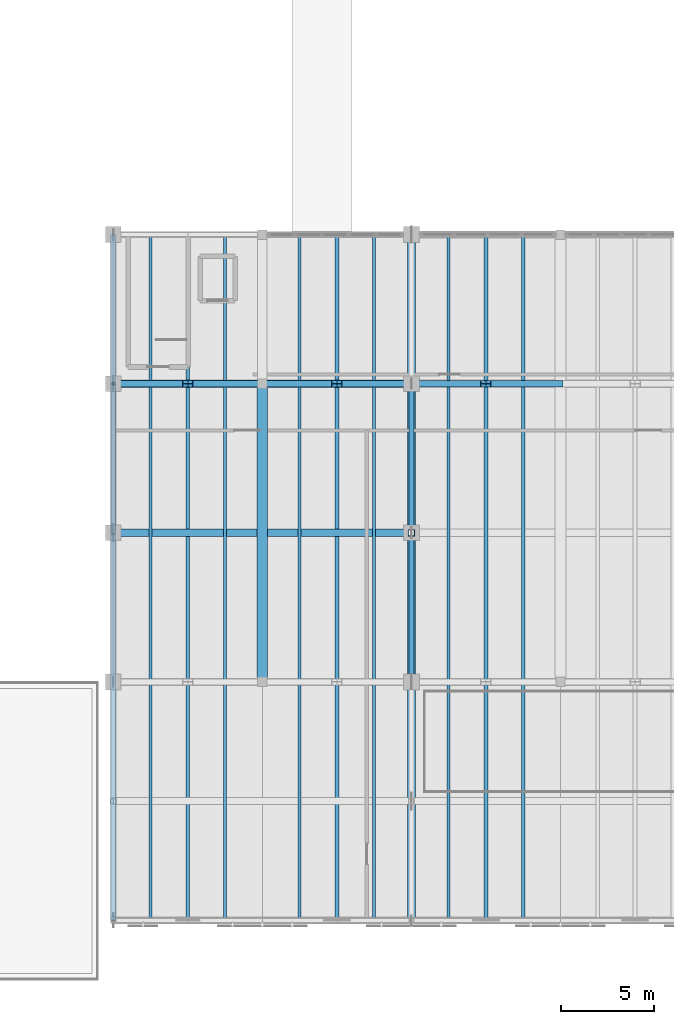
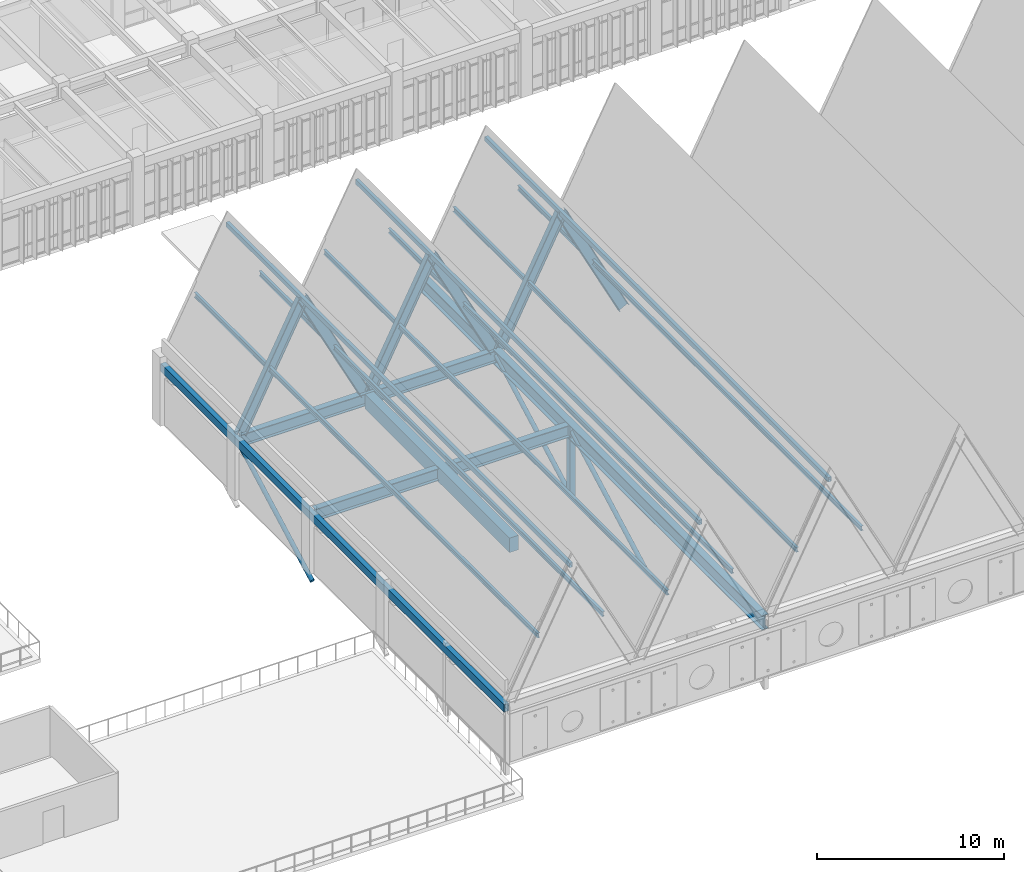
# One storey, part 4 of 72: 21 members, 3 beams.
"""IFC4 building model written with IfcOpenShell, lengths in metres."""

from ifc_helpers import new_model, si_unit, direction, frame, origin, origin_2d, place, context, subcontext, project, spatial, rectangle, hollow_rectangle, hollow_circle, i_section, extrude, material, material_profile, profile_set, type_object, element, save


model = new_model("IFC4")

# Units and contexts
model_context = context("Model", 3, precision=1e-05, world=origin(), true_north=direction((0.0, 1.0)))
body_context = subcontext(model_context, "Body", "Model", "MODEL_VIEW")
ifc_project = project(units=[si_unit("LENGTHUNIT", "METRE"), si_unit("AREAUNIT", "SQUARE_METRE"), si_unit("VOLUMEUNIT", "CUBIC_METRE"), si_unit("PLANEANGLEUNIT", "RADIAN"), si_unit("MASSUNIT", "GRAM", prefix="KILO")], contexts=[model_context])

# Site, building, storey
site_placement = place(None, origin())
site = spatial("IfcSite", under=ifc_project, at=site_placement, CompositionType="ELEMENT")
building_placement = place(site_placement, origin())
building = spatial("IfcBuilding", under=site, at=building_placement, Name="Tlaxcora Railside Police Headquarters", CompositionType="ELEMENT")
storey_placement = place(building_placement, frame((0.0, 0.0, 13.5)))
storey = spatial("IfcBuildingStorey", under=building, at=storey_placement, Name="L03", CompositionType="ELEMENT", Elevation=13.5)

# Members
ifc_material_1 = material(Name="Steel ASTM A992 Grade 50", Category="steel")
ifc_material_profile_1 = material_profile(ifc_material_1, hollow_circle(Radius=0.136474609375, WallThickness=0.011962890625, at=origin_2d()), Name="CHS273X12")
ifc_profile_set_1 = profile_set([ifc_material_profile_1], Name="Steel ASTM A992 Grade 50")
member_type_1 = type_object("IfcMemberType", Name="Diagonal Brace Member MB-16", PredefinedType="BRACE", material=ifc_profile_set_1)
for number, where, z_axis, x_axis, name in (
    (1, (46.0, 52.0, 3.52001953125), (0.0, -0.879902254176, -0.475154735951), (1.0, 0.0, 0.0), "Truss TR-1 L03 web diagonal 2"),
    (2, (62.0, 52.0, 3.52001953125), (0.0, -0.879902254176, -0.475154735951), (1.0, 0.0, 0.0), "Truss TR-2 L03 web diagonal 2"),
    (3, (62.0, 44.0, 3.52001953125), (0.0, -0.879902254176, -0.475154735951), (1.0, 0.0, 0.0), "Truss TR-2 L03 web diagonal 3"),
):
    element("IfcMember", number, at=place(storey_placement, frame(where, z_axis=z_axis, x_axis=x_axis)), inside=storey, type_object=member_type_1, Name=name, PredefinedType="BRACE", context=body_context, shape_type="SweptSolid", body=[
        extrude(hollow_circle(Radius=0.136474609375, WallThickness=0.011962890625, at=origin_2d()), origin(), (0.0, 0.0, 1.0), 9.092041015625),
    ])

# Beams
ifc_material_2 = material(Name="Concrete C40/50", Category="concrete")
ifc_material_profile_2 = material_profile(ifc_material_2, rectangle(XDim=0.550048828125, YDim=0.949951171875, at=origin_2d()), Name="RC550X950")
ifc_profile_set_2 = profile_set([ifc_material_profile_2], Name="Concrete C40/50")
beam_type_1 = type_object("IfcBeamType", Name="Primary Frame Girder BM-43", PredefinedType="BEAM", material=ifc_profile_set_2)
beam_placement = place(storey_placement, frame((54.0, 36.239990234375, 3.52490234375), z_axis=(0.0, 1.0, 0.0), x_axis=(-1.0, 0.0, 0.0)))
element("IfcBeam", 4, at=beam_placement, inside=storey, type_object=beam_type_1, Name="V2 L03 Y-girder X=54.0", PredefinedType="BEAM", context=body_context, shape_type="SweptSolid", body=[
    extrude(rectangle(XDim=0.550048828125, YDim=0.949951171875, at=origin_2d()), origin(), (0.0, 0.0, 1.0), 15.52001953125),
])
ifc_material_profile_3 = material_profile(ifc_material_1, i_section(OverallWidth=0.384033203125, OverallDepth=0.784912109375, WebThickness=0.019775390625, FlangeThickness=0.033447265625, at=origin_2d()), Name="W30X211")
ifc_profile_set_3 = profile_set([ifc_material_profile_3], Name="Steel ASTM A992 Grade 50")
beam_type_2 = type_object("IfcBeamType", Name="Primary Frame Girder BM-53", PredefinedType="BEAM", material=ifc_profile_set_3)
for number, where, z_axis, x_axis, name in (
    (5, (46.10009765625, 52.0, 3.5673828125), (1.0, 0.0, 0.0), (0.0, 1.0, 0.0), "Sawtooth roof tie girder Y=52.0"),
    (6, (46.10009765625, 44.0, 3.5673828125), (1.0, 0.0, 0.0), (0.0, 1.0, 0.0), "Sawtooth roof tie girder Y=44.0"),
):
    element("IfcBeam", number, at=place(storey_placement, frame(where, z_axis=z_axis, x_axis=x_axis)), inside=storey, type_object=beam_type_2, Name=name, PredefinedType="BEAM", context=body_context, shape_type="SweptSolid", body=[
        extrude(i_section(OverallWidth=0.384033203125, OverallDepth=0.784912109375, WebThickness=0.019775390625, FlangeThickness=0.033447265625, at=origin_2d()), origin(), (0.0, 0.0, 1.0), 15.7998046875),
    ])

# Members
ifc_material_profile_4 = material_profile(ifc_material_1, hollow_rectangle(XDim=0.199951171875, YDim=0.300048828125, WallThickness=0.010009765625, at=origin_2d()), Name="HSS300X200X10")
ifc_profile_set_4 = profile_set([ifc_material_profile_4], Name="Steel ASTM A992 Grade 50")
member_type_2 = type_object("IfcMemberType", Name="Roof Purlin Member MB-11", PredefinedType="PURLIN", material=ifc_profile_set_4)
for number, where, z_axis, x_axis, name in (
    (7, (50.0, 23.199951171875, 11.449951171875), (0.0, 1.0, 0.0), (-1.0, 0.0, 0.0), "Sawtooth gable 1 ridge purlin"),
    (8, (58.0, 23.199951171875, 11.449951171875), (0.0, 1.0, 0.0), (-1.0, 0.0, 0.0), "Sawtooth gable 2 ridge purlin"),
    (9, (66.0, 23.199951171875, 11.449951171875), (0.0, 1.0, 0.0), (-1.0, 0.0, 0.0), "Sawtooth gable 3 ridge purlin"),
):
    element("IfcMember", number, at=place(storey_placement, frame(where, z_axis=z_axis, x_axis=x_axis)), inside=storey, type_object=member_type_2, Name=name, PredefinedType="PURLIN", context=body_context, shape_type="SweptSolid", body=[
        extrude(hollow_rectangle(XDim=0.199951171875, YDim=0.300048828125, WallThickness=0.010009765625, at=origin_2d()), origin(), (0.0, 0.0, 1.0), 36.800048828125),
    ])
ifc_material_profile_5 = material_profile(ifc_material_1, i_section(OverallWidth=0.1650390625, OverallDepth=0.31005859375, WebThickness=0.005859375, FlangeThickness=0.009765625, at=origin_2d()), Name="W12X26")
ifc_profile_set_5 = profile_set([ifc_material_profile_5], Name="Steel ASTM A992 Grade 50")
member_type_3 = type_object("IfcMemberType", Name="Roof Purlin Member MB-98", PredefinedType="PURLIN", material=ifc_profile_set_5)
for number, where, z_axis, x_axis, name in (
    (10, (48.0, 23.199951171875, 7.550048828125), (0.0, 1.0, 0.0), (-1.0, 0.0, 0.0), "Sawtooth gable 1 west purlin"),
    (11, (52.0, 23.199951171875, 7.550048828125), (0.0, 1.0, 0.0), (-1.0, 0.0, 0.0), "Sawtooth gable 1 east purlin"),
    (12, (56.0, 23.199951171875, 7.550048828125), (0.0, 1.0, 0.0), (-1.0, 0.0, 0.0), "Sawtooth gable 2 west purlin"),
    (13, (60.0, 23.199951171875, 7.550048828125), (0.0, 1.0, 0.0), (-1.0, 0.0, 0.0), "Sawtooth gable 2 east purlin"),
    (14, (64.0, 23.199951171875, 7.550048828125), (0.0, 1.0, 0.0), (-1.0, 0.0, 0.0), "Sawtooth gable 3 west purlin"),
    (15, (68.0, 23.199951171875, 7.550048828125), (0.0, 1.0, 0.0), (-1.0, 0.0, 0.0), "Sawtooth gable 3 east purlin"),
):
    element("IfcMember", number, at=place(storey_placement, frame(where, z_axis=z_axis, x_axis=x_axis)), inside=storey, type_object=member_type_3, Name=name, PredefinedType="PURLIN", context=body_context, shape_type="SweptSolid", body=[
        extrude(i_section(OverallWidth=0.1650390625, OverallDepth=0.31005859375, WebThickness=0.005859375, FlangeThickness=0.009765625, at=origin_2d()), origin(), (0.0, 0.0, 1.0), 36.800048828125),
    ])
ifc_material_profile_6 = material_profile(ifc_material_1, i_section(OverallWidth=0.423095703125, OverallDepth=0.947998046875, WebThickness=0.02392578125, FlangeThickness=0.042724609375, at=origin_2d()), Name="W36X302")
ifc_profile_set_6 = profile_set([ifc_material_profile_6], Name="Steel ASTM A992 Grade 50")
member_type_4 = type_object("IfcMemberType", Name="Truss Chord Member MB-32", PredefinedType="CHORD", material=ifc_profile_set_6)
member_1_placement = place(storey_placement, frame((62.0, 60.0, 3.52001953125), z_axis=(0.0, -1.0, 0.0), x_axis=(1.0, 0.0, 0.0)))
element("IfcMember", 16, at=member_1_placement, inside=storey, type_object=member_type_4, Name="Cantilever truss TR-2 top chord", PredefinedType="CHORD", context=body_context, shape_type="SweptSolid", body=[
    extrude(i_section(OverallWidth=0.423095703125, OverallDepth=0.947998046875, WebThickness=0.02392578125, FlangeThickness=0.042724609375, at=origin_2d()), origin(), (0.0, 0.0, 1.0), 36.800048828125),
])
ifc_material_profile_7 = material_profile(ifc_material_1, i_section(OverallWidth=0.3291015625, OverallDepth=0.635009765625, WebThickness=0.017822265625, FlangeThickness=0.031005859375, at=origin_2d()), Name="W24X162")
ifc_profile_set_7 = profile_set([ifc_material_profile_7], Name="Steel ASTM A992 Grade 50")
member_type_5 = type_object("IfcMemberType", Name="Truss Chord Member MB-35", PredefinedType="CHORD", material=ifc_profile_set_7)
for number, where, z_axis, x_axis, name in (
    (17, (46.14990234375, 52.0, 3.919921875), (0.455243807773, 0.0, 0.890366820745), (0.0, 1.0, 0.0), "Sawtooth rafter 1W Y=52.0"),
    (18, (53.85009765625, 52.0, 3.919921875), (-0.455243807773, 0.0, 0.890366820745), (0.0, -1.0, 0.0), "Sawtooth rafter 1E Y=52.0"),
    (19, (54.14990234375, 52.0, 3.919921875), (0.455243807773, 0.0, 0.890366820745), (0.0, 1.0, 0.0), "Sawtooth rafter 2W Y=52.0"),
    (20, (61.85009765625, 52.0, 3.919921875), (-0.455243807773, 0.0, 0.890366820745), (0.0, -1.0, 0.0), "Sawtooth rafter 2E Y=52.0"),
    (21, (62.14990234375, 52.0, 3.919921875), (0.455243807773, 0.0, 0.890366820745), (0.0, 1.0, 0.0), "Sawtooth rafter 3W Y=52.0"),
    (22, (69.85009765625, 52.0, 3.919921875), (-0.455243807773, 0.0, 0.890366820745), (0.0, -1.0, 0.0), "Sawtooth rafter 3E Y=52.0"),
):
    element("IfcMember", number, at=place(storey_placement, frame(where, z_axis=z_axis, x_axis=x_axis)), inside=storey, type_object=member_type_5, Name=name, PredefinedType="CHORD", context=body_context, shape_type="SweptSolid", body=[
        extrude(i_section(OverallWidth=0.3291015625, OverallDepth=0.635009765625, WebThickness=0.017822265625, FlangeThickness=0.031005859375, at=origin_2d()), origin(), (0.0, 0.0, 1.0), 8.457275390625),
    ])
ifc_material_profile_8 = material_profile(ifc_material_1, hollow_rectangle(XDim=0.300048828125, YDim=0.5, WallThickness=0.01611328125, at=origin_2d()), Name="HSS500X300X16")
ifc_profile_set_8 = profile_set([ifc_material_profile_8], Name="Steel ASTM A992 Grade 50")
member_type_6 = type_object("IfcMemberType", Name="Truss Chord Member MB-41", PredefinedType="CHORD", material=ifc_profile_set_8)
member_2_placement = place(storey_placement, frame((46.0, 60.0, 3.52001953125), z_axis=(0.0, -1.0, 0.0), x_axis=(1.0, 0.0, 0.0)))
element("IfcMember", 23, at=member_2_placement, inside=storey, type_object=member_type_6, Name="Cantilever truss TR-1 top chord", PredefinedType="CHORD", context=body_context, shape_type="SweptSolid", body=[
    extrude(hollow_rectangle(XDim=0.300048828125, YDim=0.5, WallThickness=0.01611328125, at=origin_2d()), origin(), (0.0, 0.0, 1.0), 36.800048828125),
])
ifc_material_profile_9 = material_profile(ifc_material_1, hollow_rectangle(XDim=0.35009765625, YDim=0.35009765625, WallThickness=0.01611328125, at=origin_2d()), Name="HSS350X350X16")
ifc_profile_set_9 = profile_set([ifc_material_profile_9], Name="Steel ASTM A992 Grade 50")
member_type_7 = type_object("IfcMemberType", Name="Truss Vertical Post MB-42", PredefinedType="POST", material=ifc_profile_set_9)
member_3_placement = place(storey_placement, frame((62.0, 44.0, -0.800048828125), z_axis=(0.0, 0.0, 1.0), x_axis=(1.0, 0.0, 0.0)))
element("IfcMember", 24, at=member_3_placement, inside=storey, type_object=member_type_7, Name="Truss TR-2 L03 post Y=44.0", PredefinedType="POST", context=body_context, shape_type="SweptSolid", body=[
    extrude(hollow_rectangle(XDim=0.35009765625, YDim=0.35009765625, WallThickness=0.01611328125, at=origin_2d()), origin(), (0.0, 0.0, 1.0), 4.780029296875),
])

save(model, "model.ifc")
